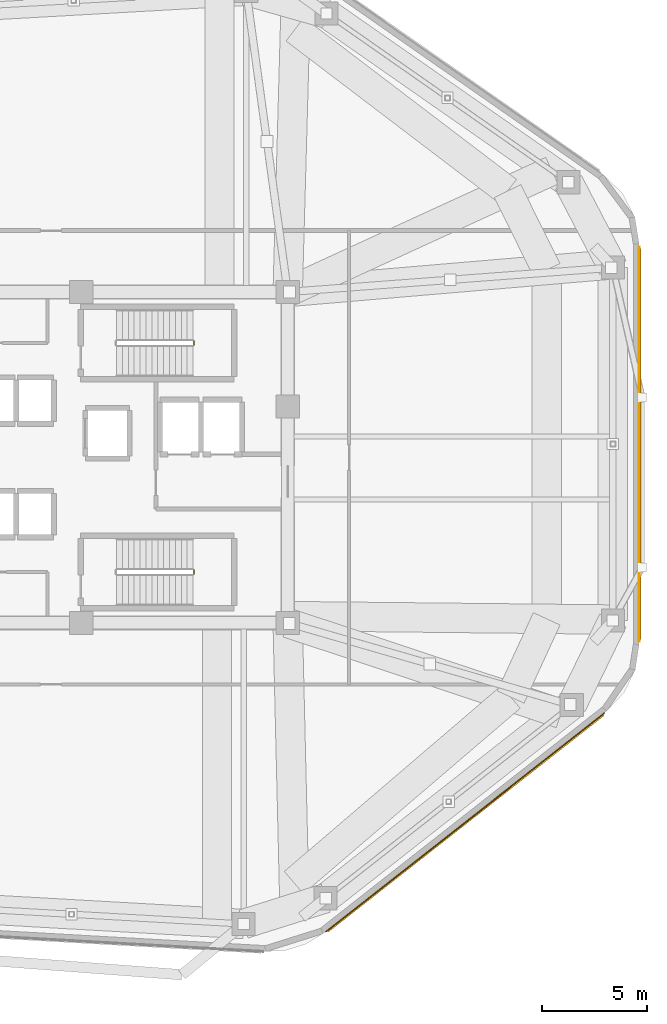
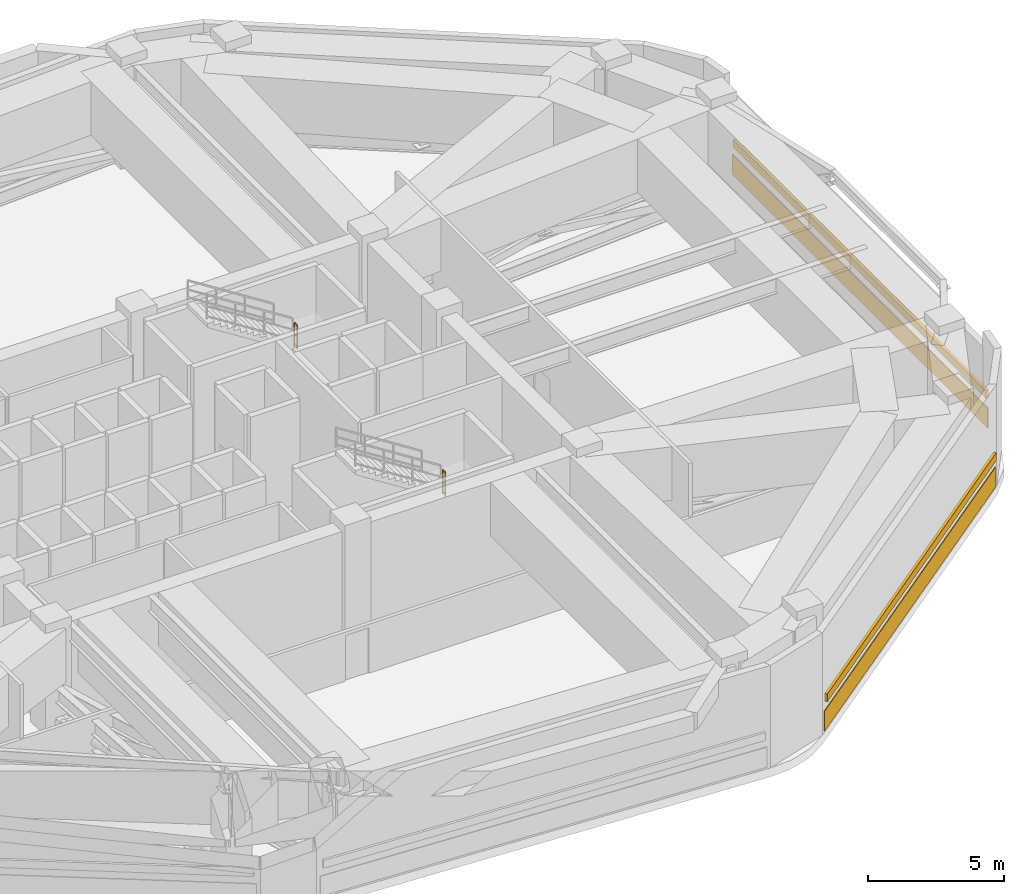
# One storey, part 11 of 12: 2 coverings, 2 railings, 2 shading devices.
"""IFC4 building model written with IfcOpenShell, lengths in metres."""

from ifc_helpers import new_model, si_unit, direction, frame, origin, origin_2d, place, context, subcontext, project, spatial, rectangle, extrude, material, layer, layer_set, type_object, element, save


model = new_model("IFC4")

# Units and contexts
model_context = context("Model", 3, precision=1e-05, world=origin(), true_north=direction((0.0, 1.0)))
body_context = subcontext(model_context, "Body", "Model", "MODEL_VIEW")
ifc_project = project(units=[si_unit("LENGTHUNIT", "METRE"), si_unit("AREAUNIT", "SQUARE_METRE"), si_unit("VOLUMEUNIT", "CUBIC_METRE"), si_unit("PLANEANGLEUNIT", "RADIAN"), si_unit("MASSUNIT", "GRAM", prefix="KILO")], contexts=[model_context])

# Site, building, storey
site_placement = place(None, origin())
site = spatial("IfcSite", under=ifc_project, at=site_placement, CompositionType="ELEMENT")
building_placement = place(site_placement, origin())
building = spatial("IfcBuilding", under=site, at=building_placement, Name="Zulverin Broadcast Headquarters", CompositionType="ELEMENT")
storey_placement = place(building_placement, frame((0.0, 0.0, 120.0)))
storey = spatial("IfcBuildingStorey", under=building, at=storey_placement, Name="L30", CompositionType="ELEMENT", Elevation=120.0)

# Coverings
ifc_material_1 = material(Name="Brushed pale-aluminium rainscreen cladding", Category="aluminium")
ifc_layer = layer(ifc_material_1, 0.0400390625, Name="Brushed pale-aluminium rainscreen cladding", Category="aluminium")
ifc_layer_set = layer_set([ifc_layer], Name="Brushed pale-aluminium rainscreen cladding")
covering_type = type_object("IfcCoveringType", Name="COV-CLAD-MEP", PredefinedType="CLADDING", material=ifc_layer_set)
covering_1_placement = place(storey_placement, frame((56.714599609375, 7.82958984375, 0.10009765625), z_axis=(0.0, 0.0, 1.0), x_axis=(0.786693729337, 0.617343483177, 0.0)))
element("IfcCovering", 1, at=covering_1_placement, inside=storey, type_object=covering_type, Name="L30 Brushed Pale-Aluminium Cladding Band 2", PredefinedType="CLADDING", context=body_context, shape_type="SweptSolid", body=[
    extrude(rectangle(XDim=16.88818359375, YDim=0.0400390625, at=origin_2d()), origin(), (0.0, 0.0, 1.0), 0.89990234375),
])
covering_2_placement = place(storey_placement, frame((65.010009765625, 25.83740234375, 0.10009765625), z_axis=(0.0, 0.0, 1.0), x_axis=(0.0, 1.0, 0.0)))
element("IfcCovering", 2, at=covering_2_placement, inside=storey, type_object=covering_type, Name="L30 Brushed Pale-Aluminium Cladding Band 3", PredefinedType="CLADDING", context=body_context, shape_type="SweptSolid", body=[
    extrude(rectangle(XDim=18.795654296875, YDim=0.0400390625, at=origin_2d()), origin(), (0.0, 0.0, 1.0), 0.89990234375),
])

# Railings
ifc_material_2 = material(Name="Painted galvanized steel tubular guardrail S355JR", Category="steel")
railing_type = type_object("IfcRailingType", Name="RL-ST-GUARD", PredefinedType="GUARDRAIL", material=ifc_material_2)
railing_1_placement = place(storey_placement, frame((43.820068359375, 30.550048828125, 2.5)))
element("IfcRailing", 3, at=railing_1_placement, inside=storey, type_object=railing_type, Name="L30 ST-1 stair guard 2", PredefinedType="GUARDRAIL", context=body_context, shape_type="SweptSolid", body=[
    extrude(rectangle(XDim=0.048095703125, YDim=0.048095703125, at=origin_2d()), frame((0.0, 0.0, 1.076171875), z_axis=(0.0, 1.0, 0.0), x_axis=(-1.0, 0.0, 0.0)), (0.0, 0.0, 1.0), 0.199951171875),
    extrude(rectangle(XDim=0.0419921875, YDim=0.0419921875, at=origin_2d()), frame((0.0, 0.0, 0.572021484375), z_axis=(0.0, 1.0, 0.0), x_axis=(-1.0, 0.0, 0.0)), (0.0, 0.0, 1.0), 0.199951171875),
    extrude(rectangle(XDim=0.0419921875, YDim=0.0419921875, at=origin_2d()), frame((0.0, 0.0, 0.1201171875), z_axis=(0.0, 1.0, 0.0), x_axis=(-1.0, 0.0, 0.0)), (0.0, 0.0, 1.0), 0.199951171875),
    extrude(rectangle(XDim=0.0419921875, YDim=0.0419921875, at=origin_2d()), origin(), (0.0, 0.0, 1.0), 1.052001953125),
    extrude(rectangle(XDim=0.0419921875, YDim=0.0419921875, at=origin_2d()), frame((0.0, 0.199951171875, 0.0)), (0.0, 0.0, 1.0), 1.052001953125),
])
railing_2_placement = place(storey_placement, frame((43.820068359375, 19.64990234375, 2.5)))
element("IfcRailing", 4, at=railing_2_placement, inside=storey, type_object=railing_type, Name="L30 ST-2 stair guard 2", PredefinedType="GUARDRAIL", context=body_context, shape_type="SweptSolid", body=[
    extrude(rectangle(XDim=0.048095703125, YDim=0.048095703125, at=origin_2d()), frame((0.0, 0.0, 1.076171875), z_axis=(0.0, 1.0, 0.0), x_axis=(-1.0, 0.0, 0.0)), (0.0, 0.0, 1.0), 0.2001953125),
    extrude(rectangle(XDim=0.0419921875, YDim=0.0419921875, at=origin_2d()), frame((0.0, 0.0, 0.572021484375), z_axis=(0.0, 1.0, 0.0), x_axis=(-1.0, 0.0, 0.0)), (0.0, 0.0, 1.0), 0.2001953125),
    extrude(rectangle(XDim=0.0419921875, YDim=0.0419921875, at=origin_2d()), frame((0.0, 0.0, 0.1201171875), z_axis=(0.0, 1.0, 0.0), x_axis=(-1.0, 0.0, 0.0)), (0.0, 0.0, 1.0), 0.2001953125),
    extrude(rectangle(XDim=0.0419921875, YDim=0.0419921875, at=origin_2d()), origin(), (0.0, 0.0, 1.0), 1.052001953125),
    extrude(rectangle(XDim=0.0419921875, YDim=0.0419921875, at=origin_2d()), frame((0.0, 0.2001953125, 0.0)), (0.0, 0.0, 1.0), 1.052001953125),
])

# Shading devices
ifc_material_3 = material(Name="Anodized pale-metal aluminium acoustic louvre", Category="aluminium")
shading_device_type = type_object("IfcShadingDeviceType", Name="SHD-LOUVRE-350", PredefinedType="USERDEFINED", material=ifc_material_3)
shading_device_1_placement = place(storey_placement, frame((56.733154296875, 7.805908203125, 1.375), z_axis=(0.0, 0.0, 1.0), x_axis=(0.786693729337, 0.617343483177, 0.0)))
element("IfcShadingDevice", 5, at=shading_device_1_placement, inside=storey, type_object=shading_device_type, Name="L30 Plant Room Acoustic Louvre Screen 2", ObjectType="LOUVRE", PredefinedType="USERDEFINED", context=body_context, shape_type="SweptSolid", body=[
    extrude(rectangle(XDim=16.68798828125, YDim=0.1201171875, at=origin_2d()), origin(), (0.0, 0.0, 1.0), 0.35009765625),
])
shading_device_2_placement = place(storey_placement, frame((65.0400390625, 25.83740234375, 1.375), z_axis=(0.0, 0.0, 1.0), x_axis=(0.0, 1.0, 0.0)))
element("IfcShadingDevice", 6, at=shading_device_2_placement, inside=storey, type_object=shading_device_type, Name="L30 Plant Room Acoustic Louvre Screen 3", ObjectType="LOUVRE", PredefinedType="USERDEFINED", context=body_context, shape_type="SweptSolid", body=[
    extrude(rectangle(XDim=18.595703125, YDim=0.1201171875, at=origin_2d()), origin(), (0.0, 0.0, 1.0), 0.35009765625),
])

save(model, "model.ifc")
